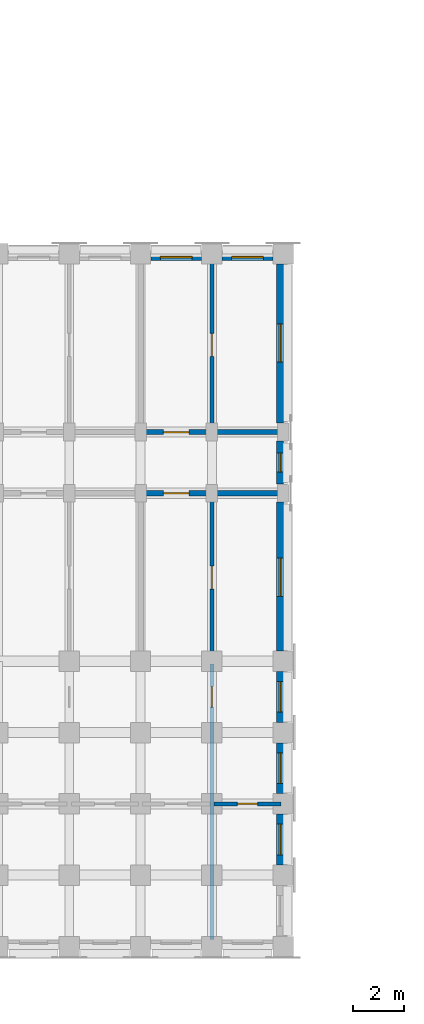
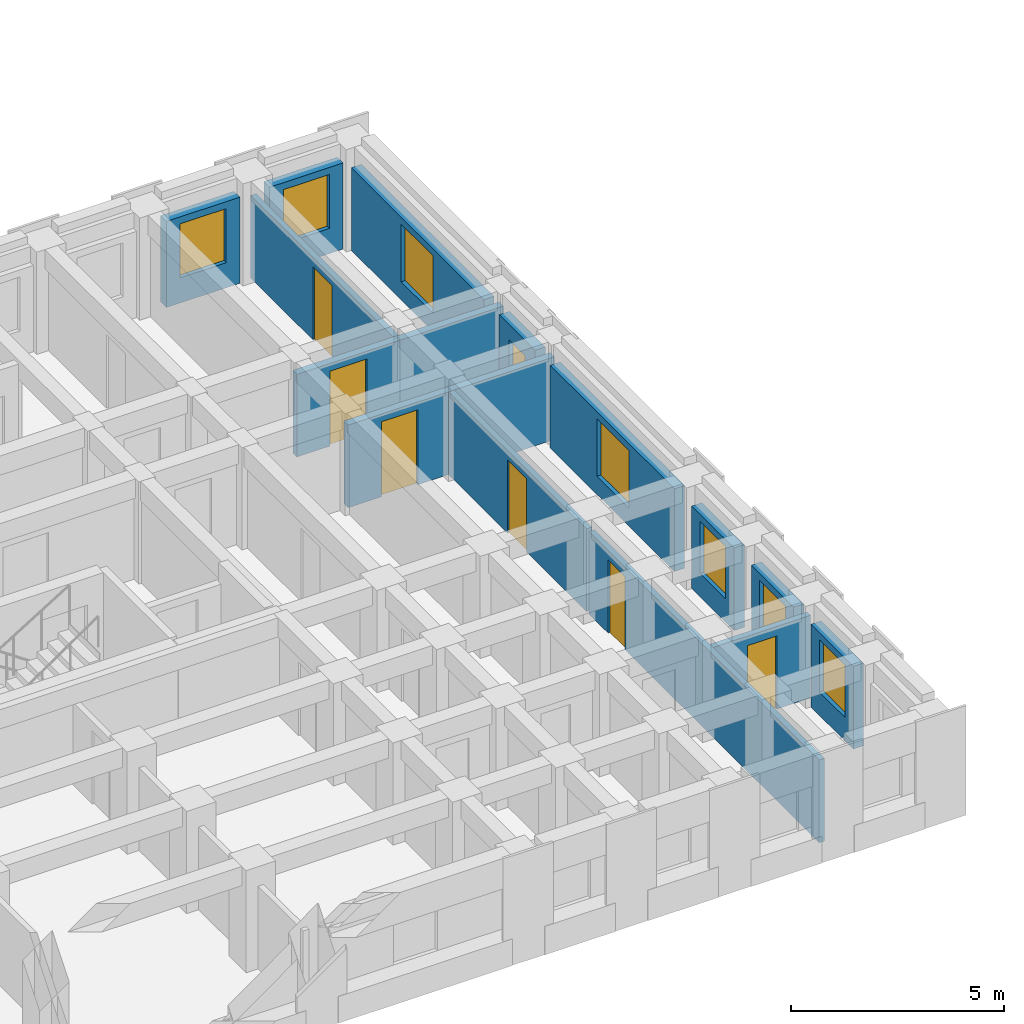
# One storey, part 21 of 54: 16 walls, 8 windows, 6 doors, 14 openings.
"""IFC4 building model written with IfcOpenShell, lengths in metres."""

import ifcopenshell
import ifcopenshell.guid

model = None  # the IFC model being written
_history = None  # IfcOwnerHistory: only IFC2X3 demands one
_inside = {}  # id of a spatial element -> (the spatial element, [elements in it])
_under = {}  # id of a project, library or spatial element -> (it, [spatial elements below it])
_declared = {}  # id of a project -> (the project, [libraries it declares])
_typed = {}  # id of a type object -> (the type object, [elements of that type])
_made_of = {}  # id of a material, layer set ... -> (it, [elements and type objects made of it])


def new_model(schema):
    """Start an empty IFC model of exactly this schema.

    Asked for "IFC4X3", IfcOpenShell would pick the latest addendum, in which some entities
    have other attributes; the version numbers below select the first issue.
    IFC2X3 requires an IfcOwnerHistory on every rooted entity: one is made here for all.
    """
    global model, _history
    if schema == "IFC4X3":
        model = ifcopenshell.file(schema_version=(4, 3, 0, 0))
    else:
        model = ifcopenshell.file(schema=schema)
    _inside.clear()
    _under.clear()
    _declared.clear()
    _typed.clear()
    _made_of.clear()
    _history = None
    if model.schema == "IFC2X3":
        org = make("IfcOrganization", Name="unknown")
        user = make(
            "IfcPersonAndOrganization",
            ThePerson=make("IfcPerson", FamilyName="unknown"),
            TheOrganization=org,
        )
        app = make(
            "IfcApplication",
            ApplicationDeveloper=org,
            Version="unknown",
            ApplicationFullName="unknown",
            ApplicationIdentifier="unknown",
        )
        _history = make(
            "IfcOwnerHistory",
            OwningUser=user,
            OwningApplication=app,
            ChangeAction="ADDED",
            CreationDate=0,
        )
    return model


def make(cls, **values):
    """One entity of the class cls with the attributes given. An attribute that is None is left unset."""
    return model.create_entity(
        cls, **{name: value for name, value in values.items() if value is not None}
    )


def rooted(cls, **values):
    """An entity with a GlobalId (a new one), such as an element, a storey or a relation."""
    return make(cls, GlobalId=ifcopenshell.guid.new(), OwnerHistory=_history, **values)


def si_unit(unit_type, name, prefix=None):
    """IfcSIUnit, for example si_unit("LENGTHUNIT", "METRE", prefix="MILLI")."""
    return make("IfcSIUnit", UnitType=unit_type, Prefix=prefix, Name=name)


def assignment(units):
    """IfcUnitAssignment: the units of a project."""
    return None if units is None else make("IfcUnitAssignment", Units=units)


def point(xyz):
    """IfcCartesianPoint."""
    return None if xyz is None else make("IfcCartesianPoint", Coordinates=xyz)


def direction(xyz):
    """IfcDirection."""
    return None if xyz is None else make("IfcDirection", DirectionRatios=xyz)


def frame(location, z_axis=None, x_axis=None):
    """IfcAxis2Placement3D, a coordinate frame: its origin and axes. An axis left out is left unset."""
    return make(
        "IfcAxis2Placement3D",
        Location=point(location),
        Axis=direction(z_axis),
        RefDirection=direction(x_axis),
    )


def frame_2d(location, x_axis=None):
    """IfcAxis2Placement2D, a coordinate frame in the plane: its origin and x axis."""
    return make(
        "IfcAxis2Placement2D", Location=point(location), RefDirection=direction(x_axis)
    )


def origin():
    """The frame at (0, 0, 0) with its axes left unset."""
    return frame((0.0, 0.0, 0.0))


def place(relative_to, where):
    """IfcLocalPlacement: puts the frame where relative to a parent placement (None: the world)."""
    return make(
        "IfcLocalPlacement", PlacementRelTo=relative_to, RelativePlacement=where
    )


def context(
    kind, dimensions, precision=None, world=None, true_north=None, identifier=None
):
    """IfcGeometricRepresentationContext, for example the 3D "Model" context."""
    return make(
        "IfcGeometricRepresentationContext",
        ContextIdentifier=identifier,
        ContextType=kind,
        CoordinateSpaceDimension=dimensions,
        Precision=precision,
        WorldCoordinateSystem=world,
        TrueNorth=true_north,
    )


def subcontext(parent, identifier, kind, view, scale=None):
    """IfcGeometricRepresentationSubContext, for example "Body" below "Model"."""
    return make(
        "IfcGeometricRepresentationSubContext",
        ContextIdentifier=identifier,
        ContextType=kind,
        ParentContext=parent,
        TargetScale=scale,
        TargetView=view,
    )


def project(units=None, contexts=None):
    """IfcProject with its units and contexts."""
    return rooted(
        "IfcProject",
        Name="project",
        RepresentationContexts=contexts,
        UnitsInContext=assignment(units),
    )


def spatial(cls, under=None, at=None, **own):
    """A site, building, storey or space (cls), placed at a placement, below another one or the project."""
    s = rooted(cls, ObjectPlacement=at, **own)
    if under is not None:
        _under.setdefault(under.id(), (under, []))[1].append(s)
    return s


def profile(cls, at=None, kind="AREA", **sizes):
    """A parametric profile (cls). Its sizes go by their IFC names, for example OverallWidth=200.0."""
    return make(cls, ProfileType=kind, Position=at, **sizes)


def rectangle(**sizes):
    """IfcRectangleProfileDef."""
    return profile("IfcRectangleProfileDef", **sizes)


def extrude(swept, where, along, depth):
    """IfcExtrudedAreaSolid: the profile swept, set in the frame where, extruded along a direction by depth."""
    return make(
        "IfcExtrudedAreaSolid",
        SweptArea=swept,
        Position=where,
        ExtrudedDirection=direction(along),
        Depth=depth,
    )


def shape(context_of_items, identifier, shape_type, items):
    """IfcShapeRepresentation: the items that make up one representation, for example the "Body"."""
    return make(
        "IfcShapeRepresentation",
        ContextOfItems=context_of_items,
        RepresentationIdentifier=identifier,
        RepresentationType=shape_type,
        Items=items,
    )


def material(Name=None, Category=None):
    """IfcMaterial."""
    return make("IfcMaterial", Name=Name, Category=Category)


def layer(
    of_material, thickness, ventilated=None, Name=None, Category=None, Priority=None
):
    """IfcMaterialLayer: one layer of a wall or slab, of a material (None: an air gap)."""
    return make(
        "IfcMaterialLayer",
        Material=of_material,
        LayerThickness=thickness,
        IsVentilated=ventilated,
        Name=Name,
        Category=Category,
        Priority=Priority,
    )


def layer_set(layers, Name=None):
    """IfcMaterialLayerSet."""
    return make("IfcMaterialLayerSet", MaterialLayers=layers, LayerSetName=Name)


def made_of(thing, what):
    """Note that an element or type object is made of a material, layer set ...; save() writes the relation."""
    if what is not None:
        _made_of.setdefault(what.id(), (what, []))[1].append(thing)
    return thing


def type_object(cls, material=None, **own):
    """A type object (cls), such as IfcWallType, which elements share."""
    return made_of(rooted(cls, **own), material)


def element(
    cls,
    number,
    at=None,
    inside=None,
    cuts=None,
    type_object=None,
    material=None,
    context=None,
    identifier="Body",
    shape_type=None,
    held_by="IfcProductDefinitionShape",
    body=None,
    shapes=None,
    **own,
):
    """One element of the class cls, such as IfcWall. Its Tag is "e" and its number.

    at: its placement. inside: the storey or other place that contains it. cuts: it is an
    opening in that element (IfcRelVoidsElement). A single representation is given by context,
    identifier, shape_type and body (its items); several are given by shapes. held_by: the class
    of the entity that holds the representations. save() writes the other relations.
    """
    e = rooted(cls, Tag="e%d" % number, ObjectPlacement=at, **own)
    if body is not None:
        shapes = [shape(context, identifier, shape_type, body)]
    if shapes is not None:
        e.Representation = make(held_by, Representations=shapes)
    if inside is not None:
        _inside.setdefault(inside.id(), (inside, []))[1].append(e)
    if cuts is not None:
        rooted(
            "IfcRelVoidsElement", RelatingBuildingElement=cuts, RelatedOpeningElement=e
        )
    if type_object is not None:
        _typed.setdefault(type_object.id(), (type_object, []))[1].append(e)
    return made_of(e, material)


def fill(opening, filler):
    """IfcRelFillsElement: the door or window that sits in an opening."""
    return rooted(
        "IfcRelFillsElement",
        RelatingOpeningElement=opening,
        RelatedBuildingElement=filler,
    )


def aggregate(whole, parts):
    """IfcRelAggregates: a whole, such as a stair, and the parts it consists of."""
    return rooted("IfcRelAggregates", RelatingObject=whole, RelatedObjects=parts)


def save(model, path):
    """Write the relations noted so far, then the file.

    IfcRelAggregates (storeys below a building ...), IfcRelContainedInSpatialStructure (elements
    in a storey), IfcRelDefinesByType, IfcRelAssociatesMaterial and IfcRelDeclares: one each for
    every whole, place, type object, material and project.
    """
    for whole, parts in _under.values():
        aggregate(whole, parts)
    for where, things in _inside.values():
        rooted(
            "IfcRelContainedInSpatialStructure",
            RelatedElements=things,
            RelatingStructure=where,
        )
    for kind, things in _typed.values():
        rooted("IfcRelDefinesByType", RelatedObjects=things, RelatingType=kind)
    for what, things in _made_of.values():
        rooted("IfcRelAssociatesMaterial", RelatedObjects=things, RelatingMaterial=what)
    for by, libraries in _declared.values():
        rooted("IfcRelDeclares", RelatingContext=by, RelatedDefinitions=libraries)
    model.write(path)


model = new_model("IFC4")

# Units and contexts
model_context = context("Model", 3, precision=1e-05, world=origin(), true_north=direction((0.0, 1.0)))
body_context = subcontext(model_context, "Body", "Model", "MODEL_VIEW")
ifc_project = project(units=[si_unit("LENGTHUNIT", "METRE"), si_unit("AREAUNIT", "SQUARE_METRE"), si_unit("VOLUMEUNIT", "CUBIC_METRE"), si_unit("PLANEANGLEUNIT", "RADIAN"), si_unit("MASSUNIT", "GRAM", prefix="KILO")], contexts=[model_context])

# Site, building, storey
site_placement = place(None, origin())
site = spatial("IfcSite", under=ifc_project, at=site_placement, CompositionType="ELEMENT")
building_placement = place(site_placement, origin())
building = spatial("IfcBuilding", under=site, at=building_placement, Name="Kiranvali Square Residences", CompositionType="ELEMENT")
storey_placement = place(building_placement, frame((0.0, 0.0, 11.85009765625)))
storey = spatial("IfcBuildingStorey", under=building, at=storey_placement, Name="L03", CompositionType="ELEMENT", Elevation=11.85009765625)

# Wall, opening, door
ifc_material_1 = material(Name="Autoclaved aerated concrete blockwork masonry", Category="masonry")
ifc_layer_1 = layer(ifc_material_1, 0.199951171875)
ifc_layer_set_1 = layer_set([ifc_layer_1], Name="Autoclaved aerated concrete blockwork masonry")
wall_type_1 = type_object("IfcWallType", Name="WL-COR-200", PredefinedType="STANDARD", material=ifc_layer_set_1)
wall_1_placement = place(storey_placement, frame((65.0, 22.39990234375, 0.0), z_axis=(0.0, 0.0, 1.0), x_axis=(1.0, 0.0, 0.0)))
wall_1 = element("IfcWall", 1, at=wall_1_placement, inside=storey, type_object=wall_type_1, Name="L03 architectural wall WL-L03-C-A1CI-2", PredefinedType="STANDARD", context=body_context, shape_type="SweptSolid", body=[
    extrude(rectangle(XDim=2.800048828125, YDim=0.199951171875, at=frame_2d((1.39990234375, 0.0))), origin(), (0.0, 0.0, 1.0), 2.371826171875),
])
opening_1_placement = place(wall_1_placement, frame((0.89990234375, 0.0, 0.0)))
opening_1 = element("IfcOpeningElement", 2, at=opening_1_placement, cuts=wall_1, Name="Opening FD-APT-60", PredefinedType="OPENING", context=body_context, shape_type="SweptSolid", body=[
    extrude(rectangle(XDim=1.0, YDim=2.14990234375, at=frame_2d((0.5, 1.074951171875))), frame((0.0, 0.10986328125, 0.0), z_axis=(0.0, -1.0, 0.0), x_axis=(1.0, 0.0, 0.0)), (0.0, 0.0, 1.0), 0.219970703125),
])
ifc_material_2 = material(Name="Fire-rated acoustic hardwood and mineral-core door assembly", Category="wood")
door_type_1 = type_object("IfcDoorType", Name="DR-APT-1000", OperationType="NOTDEFINED", PredefinedType="DOOR", material=ifc_material_2)
door_1_placement = place(opening_1_placement, origin())
door_1 = element("IfcDoor", 3, at=door_1_placement, inside=storey, type_object=door_type_1, Name="L03 door DR-L03-1921 (DR-APT-1000)", OperationType="SINGLE_SWING_LEFT", OverallHeight=2.14990234375, OverallWidth=1.0, PredefinedType="DOOR", context=body_context, shape_type="SweptSolid", body=[
    extrude(rectangle(XDim=1.0, YDim=2.14990234375, at=frame_2d((0.5, 1.074951171875))), frame((0.0, 0.02490234375, 0.0), z_axis=(0.0, -1.0, 0.0), x_axis=(1.0, 0.0, 0.0)), (0.0, 0.0, 1.0), 0.050048828125),
])
fill(opening_1, door_1)

wall_2_placement = place(storey_placement, frame((65.0, 20.0, 0.0), z_axis=(0.0, 0.0, 1.0), x_axis=(1.0, 0.0, 0.0)))
wall_2 = element("IfcWall", 4, at=wall_2_placement, inside=storey, type_object=wall_type_1, Name="L03 architectural wall WL-L03-C-A1CO-2", PredefinedType="STANDARD", context=body_context, shape_type="SweptSolid", body=[
    extrude(rectangle(XDim=2.800048828125, YDim=0.199951171875, at=frame_2d((1.39990234375, 0.0))), origin(), (0.0, 0.0, 1.0), 2.371826171875),
])
opening_2_placement = place(wall_2_placement, frame((0.89990234375, 0.0, 0.0)))
opening_2 = element("IfcOpeningElement", 5, at=opening_2_placement, cuts=wall_2, Name="Opening FD-APT-60", PredefinedType="OPENING", context=body_context, shape_type="SweptSolid", body=[
    extrude(rectangle(XDim=1.0, YDim=2.14990234375, at=frame_2d((0.5, 1.074951171875))), frame((0.0, 0.10986328125, 0.0), z_axis=(0.0, -1.0, 0.0), x_axis=(1.0, 0.0, 0.0)), (0.0, 0.0, 1.0), 0.219970703125),
])
door_2_placement = place(opening_2_placement, origin())
door_2 = element("IfcDoor", 6, at=door_2_placement, inside=storey, type_object=door_type_1, Name="L03 door DR-L03-1923 (DR-APT-1000)", OperationType="SINGLE_SWING_LEFT", OverallHeight=2.14990234375, OverallWidth=1.0, PredefinedType="DOOR", context=body_context, shape_type="SweptSolid", body=[
    extrude(rectangle(XDim=1.0, YDim=2.14990234375, at=frame_2d((0.5, 1.074951171875))), frame((0.0, 0.02490234375, 0.0), z_axis=(0.0, -1.0, 0.0), x_axis=(1.0, 0.0, 0.0)), (0.0, 0.0, 1.0), 0.050048828125),
])
fill(opening_2, door_2)

# Walls
for number, where, z_axis, x_axis, name in (
    (7, (67.800048828125, 22.39990234375, 0.0), (0.0, 0.0, 1.0), (1.0, 0.0, 0.0), "L03 architectural wall WL-L03-C-A1CI-3"),
    (8, (67.800048828125, 20.0, 0.0), (0.0, 0.0, 1.0), (1.0, 0.0, 0.0), "L03 architectural wall WL-L03-C-A1CO-3"),
):
    element("IfcWall", number, at=place(storey_placement, frame(where, z_axis=z_axis, x_axis=x_axis)), inside=storey, type_object=wall_type_1, Name=name, PredefinedType="STANDARD", context=body_context, shape_type="SweptSolid", body=[
        extrude(rectangle(XDim=2.800048828125, YDim=0.199951171875, at=frame_2d((1.39990234375, 0.0))), origin(), (0.0, 0.0, 1.0), 2.371826171875),
    ])

# Wall, opening, window
ifc_material_3 = material(Name="Breathable lime-rendered clay brick masonry", Category="masonry")
ifc_layer_2 = layer(ifc_material_3, 0.27490234375)
ifc_layer_set_2 = layer_set([ifc_layer_2], Name="Breathable lime-rendered clay brick masonry")
wall_type_2 = type_object("IfcWallType", Name="WL-EXT-275", PredefinedType="STANDARD", material=ifc_layer_set_2)
wall_3_placement = place(storey_placement, frame((65.403564453125, 29.27490234375, 0.0), z_axis=(0.0, 0.0, 1.0), x_axis=(1.0, 0.0, 0.0)))
wall_3 = element("IfcWall", 9, at=wall_3_placement, inside=storey, type_object=wall_type_2, Name="L03 exterior wall C-L03-A1I-2", PredefinedType="STANDARD", context=body_context, shape_type="SweptSolid", body=[
    extrude(rectangle(XDim=1.992919921875, YDim=0.27490234375, at=frame_2d((0.99658203125, 0.0))), origin(), (0.0, 0.0, 1.0), 2.471923828125),
])
opening_3_placement = place(wall_3_placement, frame((0.37158203125, 0.0, 0.721923828125)))
opening_3 = element("IfcOpeningElement", 10, at=opening_3_placement, cuts=wall_3, Name="Opening W-19", PredefinedType="OPENING", context=body_context, shape_type="SweptSolid", body=[
    extrude(rectangle(XDim=1.25, YDim=1.550048828125, at=frame_2d((0.625, 0.77490234375))), frame((0.0, 0.1474609375, 0.0), z_axis=(0.0, -1.0, 0.0), x_axis=(1.0, 0.0, 0.0)), (0.0, 0.0, 1.0), 0.294921875),
])
ifc_material_4 = material(Name="Solar-control low-e double glazing", Category="glass")
window_type_1 = type_object("IfcWindowType", Name="WIN-GDN-1250x1550", PartitioningType="SINGLE_PANEL", PredefinedType="WINDOW", material=ifc_material_4)
window_1_placement = place(opening_3_placement, origin())
window_1 = element("IfcWindow", 11, at=window_1_placement, inside=storey, type_object=window_type_1, Name="L03 recessed window C-L03-A1I-2", OverallHeight=1.550048828125, OverallWidth=1.25, PartitioningType="SINGLE_PANEL", PredefinedType="WINDOW", context=body_context, shape_type="SweptSolid", body=[
    extrude(rectangle(XDim=1.25, YDim=1.550048828125, at=frame_2d((0.625, 0.77490234375))), frame((0.0, 0.030029296875, 0.0), z_axis=(0.0, -1.0, 0.0), x_axis=(1.0, 0.0, 0.0)), (0.0, 0.0, 1.0), 0.06005859375),
])
fill(opening_3, window_1)

wall_4_placement = place(storey_placement, frame((68.20361328125, 29.27490234375, 0.0), z_axis=(0.0, 0.0, 1.0), x_axis=(1.0, 0.0, 0.0)))
wall_4 = element("IfcWall", 12, at=wall_4_placement, inside=storey, type_object=wall_type_2, Name="L03 exterior wall C-L03-A1I-3", PredefinedType="STANDARD", context=body_context, shape_type="SweptSolid", body=[
    extrude(rectangle(XDim=1.992919921875, YDim=0.27490234375, at=frame_2d((0.99658203125, 0.0))), origin(), (0.0, 0.0, 1.0), 2.471923828125),
])
opening_4_placement = place(wall_4_placement, frame((0.37158203125, 0.0, 0.721923828125)))
opening_4 = element("IfcOpeningElement", 13, at=opening_4_placement, cuts=wall_4, Name="Opening W-19", PredefinedType="OPENING", context=body_context, shape_type="SweptSolid", body=[
    extrude(rectangle(XDim=1.25, YDim=1.550048828125, at=frame_2d((0.625, 0.77490234375))), frame((0.0, 0.1474609375, 0.0), z_axis=(0.0, -1.0, 0.0), x_axis=(1.0, 0.0, 0.0)), (0.0, 0.0, 1.0), 0.294921875),
])
window_2_placement = place(opening_4_placement, origin())
window_2 = element("IfcWindow", 14, at=window_2_placement, inside=storey, type_object=window_type_1, Name="L03 recessed window C-L03-A1I-3", OverallHeight=1.550048828125, OverallWidth=1.25, PartitioningType="SINGLE_PANEL", PredefinedType="WINDOW", context=body_context, shape_type="SweptSolid", body=[
    extrude(rectangle(XDim=1.25, YDim=1.550048828125, at=frame_2d((0.625, 0.77490234375))), frame((0.0, 0.030029296875, 0.0), z_axis=(0.0, -1.0, 0.0), x_axis=(1.0, 0.0, 0.0)), (0.0, 0.0, 1.0), 0.06005859375),
])
fill(opening_4, window_2)

wall_5_placement = place(storey_placement, frame((70.47509765625, 28.99658203125, 0.0), z_axis=(0.0, 0.0, 1.0), x_axis=(0.0, -1.0, 0.0)))
wall_5 = element("IfcWall", 15, at=wall_5_placement, inside=storey, type_object=wall_type_2, Name="L03 exterior wall C-L03-A1END-0", PredefinedType="STANDARD", context=body_context, shape_type="SweptSolid", body=[
    extrude(rectangle(XDim=6.2431640625, YDim=0.27490234375, at=frame_2d((3.12158203125, 0.0))), origin(), (0.0, 0.0, 1.0), 2.371826171875),
])
opening_5_placement = place(wall_5_placement, frame((2.346435546875, 0.0, 0.52197265625)))
opening_5 = element("IfcOpeningElement", 16, at=opening_5_placement, cuts=wall_5, Name="Opening W-05", PredefinedType="OPENING", context=body_context, shape_type="SweptSolid", body=[
    extrude(rectangle(XDim=1.5, YDim=1.64990234375, at=frame_2d((0.75, 0.824951171875))), frame((0.0, 0.1474609375, 0.0), z_axis=(0.0, -1.0, 0.0), x_axis=(1.0, 0.0, 0.0)), (0.0, 0.0, 1.0), 0.294921875),
])
window_type_2 = type_object("IfcWindowType", Name="WIN-RES-1500x1650", PartitioningType="DOUBLE_PANEL_VERTICAL", PredefinedType="WINDOW", material=ifc_material_4)
window_3_placement = place(opening_5_placement, origin())
window_3 = element("IfcWindow", 17, at=window_3_placement, inside=storey, type_object=window_type_2, Name="L03 recessed window C-L03-A1END-0", OverallHeight=1.64990234375, OverallWidth=1.5, PartitioningType="DOUBLE_PANEL_VERTICAL", PredefinedType="WINDOW", context=body_context, shape_type="SweptSolid", body=[
    extrude(rectangle(XDim=1.5, YDim=1.64990234375, at=frame_2d((0.75, 0.824951171875))), frame((0.0, 0.030029296875, 0.0), z_axis=(0.0, -1.0, 0.0), x_axis=(1.0, 0.0, 0.0)), (0.0, 0.0, 1.0), 0.06005859375),
])
fill(opening_5, window_3)

wall_6_placement = place(storey_placement, frame((70.47509765625, 22.04638671875, 0.0), z_axis=(0.0, 0.0, 1.0), x_axis=(0.0, -1.0, 0.0)))
wall_6 = element("IfcWall", 18, at=wall_6_placement, inside=storey, type_object=wall_type_2, Name="L03 exterior wall C-L03-A1END-1", PredefinedType="STANDARD", context=body_context, shape_type="SweptSolid", body=[
    extrude(rectangle(XDim=1.69287109375, YDim=0.27490234375, at=frame_2d((0.846435546875, 0.0))), origin(), (0.0, 0.0, 1.0), 2.371826171875),
])
opening_6_placement = place(wall_6_placement, frame((0.471435546875, 0.0, 0.8798828125)))
opening_6 = element("IfcOpeningElement", 19, at=opening_6_placement, cuts=wall_6, Name="Opening W-07", PredefinedType="OPENING", context=body_context, shape_type="SweptSolid", body=[
    extrude(rectangle(XDim=0.75, YDim=1.050048828125, at=frame_2d((0.375, 0.52490234375))), frame((0.0, 0.1474609375, 0.0), z_axis=(0.0, -1.0, 0.0), x_axis=(1.0, 0.0, 0.0)), (0.0, 0.0, 1.0), 0.294921875),
])
window_type_3 = type_object("IfcWindowType", Name="WIN-WET-750x1050", PartitioningType="SINGLE_PANEL", PredefinedType="WINDOW", material=ifc_material_4)
window_4_placement = place(opening_6_placement, origin())
window_4 = element("IfcWindow", 20, at=window_4_placement, inside=storey, type_object=window_type_3, Name="L03 recessed window C-L03-A1END-1", OverallHeight=1.050048828125, OverallWidth=0.75, PartitioningType="SINGLE_PANEL", PredefinedType="WINDOW", context=body_context, shape_type="SweptSolid", body=[
    extrude(rectangle(XDim=0.75, YDim=1.050048828125, at=frame_2d((0.375, 0.52490234375))), frame((0.0, 0.030029296875, 0.0), z_axis=(0.0, -1.0, 0.0), x_axis=(1.0, 0.0, 0.0)), (0.0, 0.0, 1.0), 0.06005859375),
])
fill(opening_6, window_4)

wall_7_placement = place(storey_placement, frame((70.47509765625, 19.646484375, 0.0), z_axis=(0.0, 0.0, 1.0), x_axis=(0.0, -1.0, 0.0)))
wall_7 = element("IfcWall", 21, at=wall_7_placement, inside=storey, type_object=wall_type_2, Name="L03 exterior wall C-L03-A1END-2", PredefinedType="STANDARD", context=body_context, shape_type="SweptSolid", body=[
    extrude(rectangle(XDim=5.843017578125, YDim=0.27490234375, at=frame_2d((2.92138671875, 0.0))), origin(), (0.0, 0.0, 1.0), 2.371826171875),
])
opening_7_placement = place(wall_7_placement, frame((2.196533203125, 0.0, 0.52197265625)))
opening_7 = element("IfcOpeningElement", 22, at=opening_7_placement, cuts=wall_7, Name="Opening W-05", PredefinedType="OPENING", context=body_context, shape_type="SweptSolid", body=[
    extrude(rectangle(XDim=1.5, YDim=1.64990234375, at=frame_2d((0.75, 0.824951171875))), frame((0.0, 0.1474609375, 0.0), z_axis=(0.0, -1.0, 0.0), x_axis=(1.0, 0.0, 0.0)), (0.0, 0.0, 1.0), 0.294921875),
])
window_5_placement = place(opening_7_placement, origin())
window_5 = element("IfcWindow", 23, at=window_5_placement, inside=storey, type_object=window_type_2, Name="L03 recessed window C-L03-A1END-2", OverallHeight=1.64990234375, OverallWidth=1.5, PartitioningType="DOUBLE_PANEL_VERTICAL", PredefinedType="WINDOW", context=body_context, shape_type="SweptSolid", body=[
    extrude(rectangle(XDim=1.5, YDim=1.64990234375, at=frame_2d((0.75, 0.824951171875))), frame((0.0, 0.030029296875, 0.0), z_axis=(0.0, -1.0, 0.0), x_axis=(1.0, 0.0, 0.0)), (0.0, 0.0, 1.0), 0.06005859375),
])
fill(opening_7, window_5)

wall_8_placement = place(storey_placement, frame((70.47509765625, 12.99658203125, 0.0), z_axis=(0.0, 0.0, 1.0), x_axis=(0.0, -1.0, 0.0)))
wall_8 = element("IfcWall", 24, at=wall_8_placement, inside=storey, type_object=wall_type_2, Name="L03 exterior wall C-L03-A1END-3", PredefinedType="STANDARD", context=body_context, shape_type="SweptSolid", body=[
    extrude(rectangle(XDim=1.9931640625, YDim=0.27490234375, at=frame_2d((0.99658203125, 0.0))), origin(), (0.0, 0.0, 1.0), 2.371826171875),
])
opening_8_placement = place(wall_8_placement, frame((0.396484375, 0.0, 0.672119140625)))
opening_8 = element("IfcOpeningElement", 25, at=opening_8_placement, cuts=wall_8, Name="Opening W-06", PredefinedType="OPENING", context=body_context, shape_type="SweptSolid", body=[
    extrude(rectangle(XDim=1.199951171875, YDim=1.5, at=frame_2d((0.60009765625, 0.75))), frame((0.0, 0.1474609375, 0.0), z_axis=(0.0, -1.0, 0.0), x_axis=(1.0, 0.0, 0.0)), (0.0, 0.0, 1.0), 0.294921875),
])
window_type_4 = type_object("IfcWindowType", Name="WIN-RES-1200x1500", PartitioningType="SINGLE_PANEL", PredefinedType="WINDOW", material=ifc_material_4)
window_6_placement = place(opening_8_placement, origin())
window_6 = element("IfcWindow", 26, at=window_6_placement, inside=storey, type_object=window_type_4, Name="L03 recessed window C-L03-A1END-3", OverallHeight=1.5, OverallWidth=1.199951171875, PartitioningType="SINGLE_PANEL", PredefinedType="WINDOW", context=body_context, shape_type="SweptSolid", body=[
    extrude(rectangle(XDim=1.199951171875, YDim=1.5, at=frame_2d((0.60009765625, 0.75))), frame((0.0, 0.030029296875, 0.0), z_axis=(0.0, -1.0, 0.0), x_axis=(1.0, 0.0, 0.0)), (0.0, 0.0, 1.0), 0.06005859375),
])
fill(opening_8, window_6)

wall_9_placement = place(storey_placement, frame((70.47509765625, 10.196533203125, 0.0), z_axis=(0.0, 0.0, 1.0), x_axis=(0.0, -1.0, 0.0)))
wall_9 = element("IfcWall", 27, at=wall_9_placement, inside=storey, type_object=wall_type_2, Name="L03 exterior wall C-L03-A1END-4", PredefinedType="STANDARD", context=body_context, shape_type="SweptSolid", body=[
    extrude(rectangle(XDim=1.992919921875, YDim=0.27490234375, at=frame_2d((0.99658203125, 0.0))), origin(), (0.0, 0.0, 1.0), 2.371826171875),
])
opening_9_placement = place(wall_9_placement, frame((0.396484375, 0.0, 0.672119140625)))
opening_9 = element("IfcOpeningElement", 28, at=opening_9_placement, cuts=wall_9, Name="Opening W-06", PredefinedType="OPENING", context=body_context, shape_type="SweptSolid", body=[
    extrude(rectangle(XDim=1.199951171875, YDim=1.5, at=frame_2d((0.60009765625, 0.75))), frame((0.0, 0.1474609375, 0.0), z_axis=(0.0, -1.0, 0.0), x_axis=(1.0, 0.0, 0.0)), (0.0, 0.0, 1.0), 0.294921875),
])
window_7_placement = place(opening_9_placement, origin())
window_7 = element("IfcWindow", 29, at=window_7_placement, inside=storey, type_object=window_type_4, Name="L03 recessed window C-L03-A1END-4", OverallHeight=1.5, OverallWidth=1.199951171875, PartitioningType="SINGLE_PANEL", PredefinedType="WINDOW", context=body_context, shape_type="SweptSolid", body=[
    extrude(rectangle(XDim=1.199951171875, YDim=1.5, at=frame_2d((0.60009765625, 0.75))), frame((0.0, 0.030029296875, 0.0), z_axis=(0.0, -1.0, 0.0), x_axis=(1.0, 0.0, 0.0)), (0.0, 0.0, 1.0), 0.06005859375),
])
fill(opening_9, window_7)

wall_10_placement = place(storey_placement, frame((70.47509765625, 7.396484375, 0.0), z_axis=(0.0, 0.0, 1.0), x_axis=(0.0, -1.0, 0.0)))
wall_10 = element("IfcWall", 30, at=wall_10_placement, inside=storey, type_object=wall_type_2, Name="L03 exterior wall C-L03-A1END-5", PredefinedType="STANDARD", context=body_context, shape_type="SweptSolid", body=[
    extrude(rectangle(XDim=1.992919921875, YDim=0.27490234375, at=frame_2d((0.99658203125, 0.0))), origin(), (0.0, 0.0, 1.0), 2.371826171875),
])
opening_10_placement = place(wall_10_placement, frame((0.396484375, 0.0, 0.672119140625)))
opening_10 = element("IfcOpeningElement", 31, at=opening_10_placement, cuts=wall_10, Name="Opening W-06", PredefinedType="OPENING", context=body_context, shape_type="SweptSolid", body=[
    extrude(rectangle(XDim=1.199951171875, YDim=1.5, at=frame_2d((0.60009765625, 0.75))), frame((0.0, 0.1474609375, 0.0), z_axis=(0.0, -1.0, 0.0), x_axis=(1.0, 0.0, 0.0)), (0.0, 0.0, 1.0), 0.294921875),
])
window_8_placement = place(opening_10_placement, origin())
window_8 = element("IfcWindow", 32, at=window_8_placement, inside=storey, type_object=window_type_4, Name="L03 recessed window C-L03-A1END-5", OverallHeight=1.5, OverallWidth=1.199951171875, PartitioningType="SINGLE_PANEL", PredefinedType="WINDOW", context=body_context, shape_type="SweptSolid", body=[
    extrude(rectangle(XDim=1.199951171875, YDim=1.5, at=frame_2d((0.60009765625, 0.75))), frame((0.0, 0.030029296875, 0.0), z_axis=(0.0, -1.0, 0.0), x_axis=(1.0, 0.0, 0.0)), (0.0, 0.0, 1.0), 0.06005859375),
])
fill(opening_10, window_8)

# Wall, opening, door
ifc_material_5 = material(Name="Acoustic gypsum board drylined partition", Category="gypsum")
ifc_layer_3 = layer(ifc_material_5, 0.14990234375)
ifc_layer_set_3 = layer_set([ifc_layer_3], Name="Acoustic gypsum board drylined partition")
wall_type_3 = type_object("IfcWallType", Name="WL-PRT-150", PredefinedType="PARTITIONING", material=ifc_layer_set_3)
wall_11_placement = place(storey_placement, frame((67.800048828125, 29.199951171875, 0.0), z_axis=(0.0, 0.0, 1.0), x_axis=(0.0, -1.0, 0.0)))
wall_11 = element("IfcWall", 33, at=wall_11_placement, inside=storey, type_object=wall_type_3, Name="L03 architectural wall WL-L03-C-A1TI-3", PredefinedType="PARTITIONING", context=body_context, shape_type="SweptSolid", body=[
    extrude(rectangle(XDim=6.75, YDim=0.14990234375, at=frame_2d((3.375, 0.0))), origin(), (0.0, 0.0, 1.0), 2.371826171875),
])
opening_11_placement = place(wall_11_placement, frame((2.925048828125, 0.0, 0.0)))
opening_11 = element("IfcOpeningElement", 34, at=opening_11_placement, cuts=wall_11, Name="Opening ID-1", PredefinedType="OPENING", context=body_context, shape_type="SweptSolid", body=[
    extrude(rectangle(XDim=0.89990234375, YDim=2.10009765625, at=frame_2d((0.449951171875, 1.050048828125))), frame((0.0, 0.0849609375, 0.0), z_axis=(0.0, -1.0, 0.0), x_axis=(1.0, 0.0, 0.0)), (0.0, 0.0, 1.0), 0.169921875),
])
ifc_material_6 = material(Name="Solid seasoned teak hardwood joinery", Category="wood")
door_type_2 = type_object("IfcDoorType", Name="DR-INT-900", OperationType="NOTDEFINED", PredefinedType="DOOR", material=ifc_material_6)
door_3_placement = place(opening_11_placement, origin())
door_3 = element("IfcDoor", 35, at=door_3_placement, inside=storey, type_object=door_type_2, Name="L03 door DR-L03-1929 (DR-INT-900)", OperationType="SINGLE_SWING_LEFT", OverallHeight=2.10009765625, OverallWidth=0.89990234375, PredefinedType="DOOR", context=body_context, shape_type="SweptSolid", body=[
    extrude(rectangle(XDim=0.89990234375, YDim=2.10009765625, at=frame_2d((0.449951171875, 1.050048828125))), frame((0.0, 0.02490234375, 0.0), z_axis=(0.0, -1.0, 0.0), x_axis=(1.0, 0.0, 0.0)), (0.0, 0.0, 1.0), 0.050048828125),
])
fill(opening_11, door_3)

wall_12_placement = place(storey_placement, frame((67.800048828125, 19.949951171875, 0.0), z_axis=(0.0, 0.0, 1.0), x_axis=(0.0, -1.0, 0.0)))
wall_12 = element("IfcWall", 36, at=wall_12_placement, inside=storey, type_object=wall_type_3, Name="L03 architectural wall WL-L03-C-A1TO1-3", PredefinedType="PARTITIONING", context=body_context, shape_type="SweptSolid", body=[
    extrude(rectangle(XDim=6.530029296875, YDim=0.14990234375, at=frame_2d((3.26513671875, 0.0))), origin(), (0.0, 0.0, 1.0), 2.371826171875),
])
opening_12_placement = place(wall_12_placement, frame((2.81494140625, 0.0, 0.0)))
opening_12 = element("IfcOpeningElement", 37, at=opening_12_placement, cuts=wall_12, Name="Opening ID-1", PredefinedType="OPENING", context=body_context, shape_type="SweptSolid", body=[
    extrude(rectangle(XDim=0.89990234375, YDim=2.10009765625, at=frame_2d((0.449951171875, 1.050048828125))), frame((0.0, 0.0849609375, 0.0), z_axis=(0.0, -1.0, 0.0), x_axis=(1.0, 0.0, 0.0)), (0.0, 0.0, 1.0), 0.169921875),
])
door_4_placement = place(opening_12_placement, frame((0.89990234375, 0.0, 0.0), z_axis=(0.0, 0.0, 1.0), x_axis=(-1.0, 0.0, 0.0)))
door_4 = element("IfcDoor", 38, at=door_4_placement, inside=storey, type_object=door_type_2, Name="L03 door DR-L03-1930 (DR-INT-900)", OperationType="SINGLE_SWING_RIGHT", OverallHeight=2.10009765625, OverallWidth=0.89990234375, PredefinedType="DOOR", context=body_context, shape_type="SweptSolid", body=[
    extrude(rectangle(XDim=0.89990234375, YDim=2.10009765625, at=frame_2d((0.449951171875, 1.050048828125))), frame((0.0, 0.02490234375, 0.0), z_axis=(0.0, -1.0, 0.0), x_axis=(1.0, 0.0, 0.0)), (0.0, 0.0, 1.0), 0.050048828125),
])
fill(opening_12, door_4)

wall_13_placement = place(storey_placement, frame((67.800048828125, 13.300048828125, 0.0), z_axis=(0.0, 0.0, 1.0), x_axis=(0.0, -1.0, 0.0)))
wall_13 = element("IfcWall", 39, at=wall_13_placement, inside=storey, type_object=wall_type_3, Name="L03 architectural wall WL-L03-C-A1TO2-3", PredefinedType="PARTITIONING", context=body_context, shape_type="SweptSolid", body=[
    extrude(rectangle(XDim=10.820068359375, YDim=0.14990234375, at=frame_2d((5.41015625, 0.0))), origin(), (0.0, 0.0, 1.0), 2.371826171875),
])
opening_13_placement = place(wall_13_placement, frame((0.8994140625, 0.0, 0.0)))
opening_13 = element("IfcOpeningElement", 40, at=opening_13_placement, cuts=wall_13, Name="Opening ID-WET", PredefinedType="OPENING", context=body_context, shape_type="SweptSolid", body=[
    extrude(rectangle(XDim=0.800048828125, YDim=2.10009765625, at=frame_2d((0.39990234375, 1.050048828125))), frame((0.0, 0.0849609375, 0.0), z_axis=(0.0, -1.0, 0.0), x_axis=(1.0, 0.0, 0.0)), (0.0, 0.0, 1.0), 0.169921875),
])
door_type_3 = type_object("IfcDoorType", Name="DR-WET-800", OperationType="NOTDEFINED", PredefinedType="DOOR", material=ifc_material_6)
door_5_placement = place(opening_13_placement, origin())
door_5 = element("IfcDoor", 41, at=door_5_placement, inside=storey, type_object=door_type_3, Name="L03 door DR-L03-1931 (DR-WET-800)", OperationType="SINGLE_SWING_LEFT", OverallHeight=2.10009765625, OverallWidth=0.800048828125, PredefinedType="DOOR", context=body_context, shape_type="SweptSolid", body=[
    extrude(rectangle(XDim=0.800048828125, YDim=2.10009765625, at=frame_2d((0.39990234375, 1.050048828125))), frame((0.0, 0.02490234375, 0.0), z_axis=(0.0, -1.0, 0.0), x_axis=(1.0, 0.0, 0.0)), (0.0, 0.0, 1.0), 0.050048828125),
])
fill(opening_13, door_5)

ifc_layer_4 = layer(ifc_material_1, 0.159912109375)
ifc_layer_set_4 = layer_set([ifc_layer_4], Name="Autoclaved aerated concrete blockwork masonry")
wall_type_4 = type_object("IfcWallType", Name="WL-WET-160", PredefinedType="PLUMBINGWALL", material=ifc_layer_set_4)
wall_14_placement = place(storey_placement, frame((67.8798828125, 7.800048828125, 0.0), z_axis=(0.0, 0.0, 1.0), x_axis=(1.0, 0.0, 0.0)))
wall_14 = element("IfcWall", 42, at=wall_14_placement, inside=storey, type_object=wall_type_4, Name="L03 architectural wall WL-L03-C-A1SP-3", PredefinedType="PLUMBINGWALL", context=body_context, shape_type="SweptSolid", body=[
    extrude(rectangle(XDim=2.64013671875, YDim=0.159912109375, at=frame_2d((1.320068359375, 0.0))), origin(), (0.0, 0.0, 1.0), 2.371826171875),
])
opening_14_placement = place(wall_14_placement, frame((0.919921875, 0.0, 0.0)))
opening_14 = element("IfcOpeningElement", 43, at=opening_14_placement, cuts=wall_14, Name="Opening ID-WET", PredefinedType="OPENING", context=body_context, shape_type="SweptSolid", body=[
    extrude(rectangle(XDim=0.800048828125, YDim=2.10009765625, at=frame_2d((0.39990234375, 1.050048828125))), frame((0.0, 0.08984375, 0.0), z_axis=(0.0, -1.0, 0.0), x_axis=(1.0, 0.0, 0.0)), (0.0, 0.0, 1.0), 0.179931640625),
])
door_6_placement = place(opening_14_placement, frame((0.800048828125, 0.0, 0.0), z_axis=(0.0, 0.0, 1.0), x_axis=(-1.0, 0.0, 0.0)))
door_6 = element("IfcDoor", 44, at=door_6_placement, inside=storey, type_object=door_type_3, Name="L03 door DR-L03-1924 (DR-WET-800)", OperationType="SINGLE_SWING_RIGHT", OverallHeight=2.10009765625, OverallWidth=0.800048828125, PredefinedType="DOOR", context=body_context, shape_type="SweptSolid", body=[
    extrude(rectangle(XDim=0.800048828125, YDim=2.10009765625, at=frame_2d((0.39990234375, 1.050048828125))), frame((0.0, 0.02490234375, 0.0), z_axis=(0.0, -1.0, 0.0), x_axis=(1.0, 0.0, 0.0)), (0.0, 0.0, 1.0), 0.050048828125),
])
fill(opening_14, door_6)

save(model, "model.ifc")
